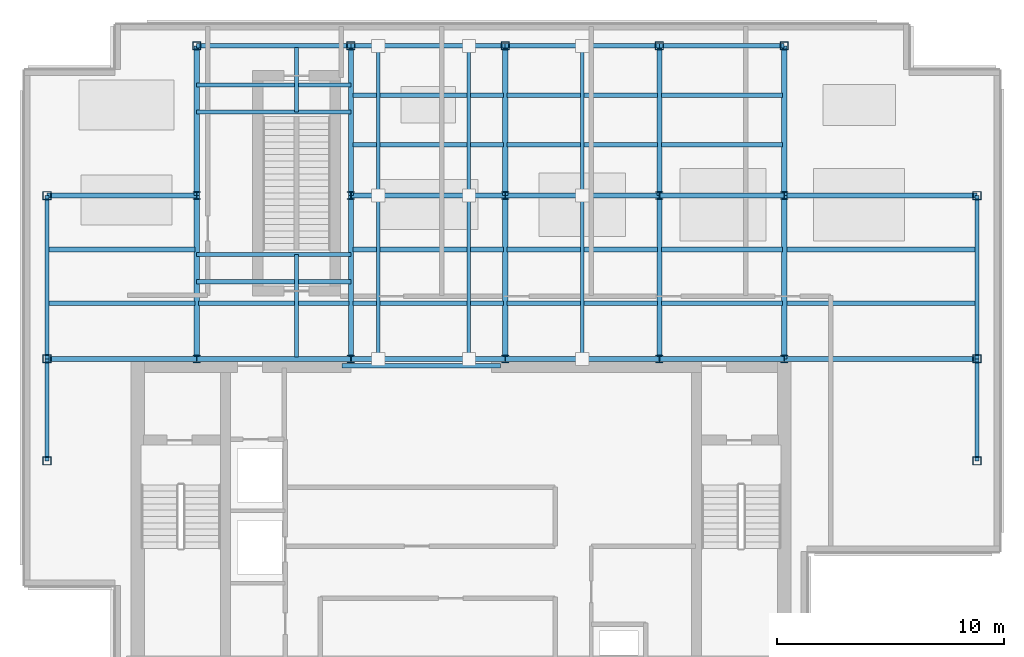
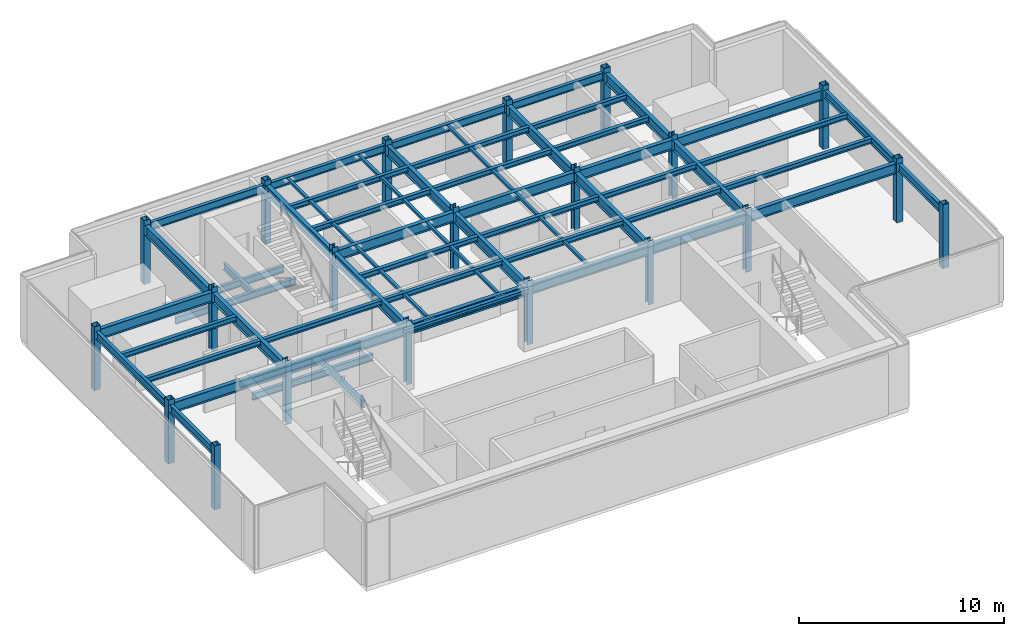
# One storey, part 1 of 7: 53 beams, 21 columns, 6 members.
"""IFC4 building model written with IfcOpenShell, lengths in metres."""

import ifcopenshell
import ifcopenshell.guid

model = None  # the IFC model being written
_history = None  # IfcOwnerHistory: only IFC2X3 demands one
_inside = {}  # id of a spatial element -> (the spatial element, [elements in it])
_under = {}  # id of a project, library or spatial element -> (it, [spatial elements below it])
_declared = {}  # id of a project -> (the project, [libraries it declares])
_typed = {}  # id of a type object -> (the type object, [elements of that type])
_made_of = {}  # id of a material, layer set ... -> (it, [elements and type objects made of it])


def new_model(schema):
    """Start an empty IFC model of exactly this schema.

    Asked for "IFC4X3", IfcOpenShell would pick the latest addendum, in which some entities
    have other attributes; the version numbers below select the first issue.
    IFC2X3 requires an IfcOwnerHistory on every rooted entity: one is made here for all.
    """
    global model, _history
    if schema == "IFC4X3":
        model = ifcopenshell.file(schema_version=(4, 3, 0, 0))
    else:
        model = ifcopenshell.file(schema=schema)
    _inside.clear()
    _under.clear()
    _declared.clear()
    _typed.clear()
    _made_of.clear()
    _history = None
    if model.schema == "IFC2X3":
        org = make("IfcOrganization", Name="unknown")
        user = make(
            "IfcPersonAndOrganization",
            ThePerson=make("IfcPerson", FamilyName="unknown"),
            TheOrganization=org,
        )
        app = make(
            "IfcApplication",
            ApplicationDeveloper=org,
            Version="unknown",
            ApplicationFullName="unknown",
            ApplicationIdentifier="unknown",
        )
        _history = make(
            "IfcOwnerHistory",
            OwningUser=user,
            OwningApplication=app,
            ChangeAction="ADDED",
            CreationDate=0,
        )
    return model


def make(cls, **values):
    """One entity of the class cls with the attributes given. An attribute that is None is left unset."""
    return model.create_entity(
        cls, **{name: value for name, value in values.items() if value is not None}
    )


def rooted(cls, **values):
    """An entity with a GlobalId (a new one), such as an element, a storey or a relation."""
    return make(cls, GlobalId=ifcopenshell.guid.new(), OwnerHistory=_history, **values)


def si_unit(unit_type, name, prefix=None):
    """IfcSIUnit, for example si_unit("LENGTHUNIT", "METRE", prefix="MILLI")."""
    return make("IfcSIUnit", UnitType=unit_type, Prefix=prefix, Name=name)


def derived_unit(unit_type, elements):
    """IfcDerivedUnit: a product of units, each with its exponent."""
    return make(
        "IfcDerivedUnit",
        Elements=[
            make("IfcDerivedUnitElement", Unit=unit, Exponent=power)
            for unit, power in elements
        ],
        UnitType=unit_type,
    )


def assignment(units):
    """IfcUnitAssignment: the units of a project."""
    return None if units is None else make("IfcUnitAssignment", Units=units)


def point(xyz):
    """IfcCartesianPoint."""
    return None if xyz is None else make("IfcCartesianPoint", Coordinates=xyz)


def direction(xyz):
    """IfcDirection."""
    return None if xyz is None else make("IfcDirection", DirectionRatios=xyz)


def frame(location, z_axis=None, x_axis=None):
    """IfcAxis2Placement3D, a coordinate frame: its origin and axes. An axis left out is left unset."""
    return make(
        "IfcAxis2Placement3D",
        Location=point(location),
        Axis=direction(z_axis),
        RefDirection=direction(x_axis),
    )


def frame_2d(location, x_axis=None):
    """IfcAxis2Placement2D, a coordinate frame in the plane: its origin and x axis."""
    return make(
        "IfcAxis2Placement2D", Location=point(location), RefDirection=direction(x_axis)
    )


def origin():
    """The frame at (0, 0, 0) with its axes left unset."""
    return frame((0.0, 0.0, 0.0))


def origin_2d():
    """The frame at (0, 0) in the plane with its x axis left unset."""
    return frame_2d((0.0, 0.0))


def place(relative_to, where):
    """IfcLocalPlacement: puts the frame where relative to a parent placement (None: the world)."""
    return make(
        "IfcLocalPlacement", PlacementRelTo=relative_to, RelativePlacement=where
    )


def context(
    kind, dimensions, precision=None, world=None, true_north=None, identifier=None
):
    """IfcGeometricRepresentationContext, for example the 3D "Model" context."""
    return make(
        "IfcGeometricRepresentationContext",
        ContextIdentifier=identifier,
        ContextType=kind,
        CoordinateSpaceDimension=dimensions,
        Precision=precision,
        WorldCoordinateSystem=world,
        TrueNorth=true_north,
    )


def subcontext(parent, identifier, kind, view, scale=None):
    """IfcGeometricRepresentationSubContext, for example "Body" below "Model"."""
    return make(
        "IfcGeometricRepresentationSubContext",
        ContextIdentifier=identifier,
        ContextType=kind,
        ParentContext=parent,
        TargetScale=scale,
        TargetView=view,
    )


def project(units=None, contexts=None):
    """IfcProject with its units and contexts."""
    return rooted(
        "IfcProject",
        Name="project",
        RepresentationContexts=contexts,
        UnitsInContext=assignment(units),
    )


def spatial(cls, under=None, at=None, **own):
    """A site, building, storey or space (cls), placed at a placement, below another one or the project."""
    s = rooted(cls, ObjectPlacement=at, **own)
    if under is not None:
        _under.setdefault(under.id(), (under, []))[1].append(s)
    return s


def profile(cls, at=None, kind="AREA", **sizes):
    """A parametric profile (cls). Its sizes go by their IFC names, for example OverallWidth=200.0."""
    return make(cls, ProfileType=kind, Position=at, **sizes)


def hollow_rectangle(**sizes):
    """IfcRectangleHollowProfileDef."""
    return profile("IfcRectangleHollowProfileDef", **sizes)


def i_section(**sizes):
    """IfcIShapeProfileDef."""
    return profile("IfcIShapeProfileDef", **sizes)


def extrude(swept, where, along, depth):
    """IfcExtrudedAreaSolid: the profile swept, set in the frame where, extruded along a direction by depth."""
    return make(
        "IfcExtrudedAreaSolid",
        SweptArea=swept,
        Position=where,
        ExtrudedDirection=direction(along),
        Depth=depth,
    )


def shape(context_of_items, identifier, shape_type, items):
    """IfcShapeRepresentation: the items that make up one representation, for example the "Body"."""
    return make(
        "IfcShapeRepresentation",
        ContextOfItems=context_of_items,
        RepresentationIdentifier=identifier,
        RepresentationType=shape_type,
        Items=items,
    )


def source(mapping_origin, context_of_items, identifier, shape_type, items):
    """IfcRepresentationMap: a shape defined once, which mapped items show again and again."""
    return make(
        "IfcRepresentationMap",
        MappingOrigin=mapping_origin,
        MappedRepresentation=shape(context_of_items, identifier, shape_type, items),
    )


def transform(
    local_origin,
    x_axis=None,
    y_axis=None,
    z_axis=None,
    scale=None,
    scale2=None,
    scale3=None,
    uniform=True,
):
    """IfcCartesianTransformationOperator3D, or its non-uniform kind. x_axis, y_axis, z_axis: its Axis1, 2, 3."""
    if uniform:
        return make(
            "IfcCartesianTransformationOperator3D",
            Axis1=direction(x_axis),
            Axis2=direction(y_axis),
            LocalOrigin=point(local_origin),
            Scale=scale,
            Axis3=direction(z_axis),
        )
    return make(
        "IfcCartesianTransformationOperator3DnonUniform",
        Axis1=direction(x_axis),
        Axis2=direction(y_axis),
        LocalOrigin=point(local_origin),
        Scale=scale,
        Axis3=direction(z_axis),
        Scale2=scale2,
        Scale3=scale3,
    )


def mapped(mapping_source, mapping_target):
    """IfcMappedItem: shows the shape of a source again, moved by a transform."""
    return make(
        "IfcMappedItem", MappingSource=mapping_source, MappingTarget=mapping_target
    )


def material(Name=None, Category=None):
    """IfcMaterial."""
    return make("IfcMaterial", Name=Name, Category=Category)


def material_profile(
    of_material, cross_section, Name=None, Category=None, Priority=None
):
    """IfcMaterialProfile: a cross section and its material."""
    return make(
        "IfcMaterialProfile",
        Name=Name,
        Material=of_material,
        Profile=cross_section,
        Priority=Priority,
        Category=Category,
    )


def profile_set(profiles, Name=None, composite=None):
    """IfcMaterialProfileSet."""
    return make(
        "IfcMaterialProfileSet",
        Name=Name,
        MaterialProfiles=profiles,
        CompositeProfile=composite,
    )


def made_of(thing, what):
    """Note that an element or type object is made of a material, layer set ...; save() writes the relation."""
    if what is not None:
        _made_of.setdefault(what.id(), (what, []))[1].append(thing)
    return thing


def type_object(cls, material=None, **own):
    """A type object (cls), such as IfcWallType, which elements share."""
    return made_of(rooted(cls, **own), material)


def element(
    cls,
    number,
    at=None,
    inside=None,
    cuts=None,
    type_object=None,
    material=None,
    context=None,
    identifier="Body",
    shape_type=None,
    held_by="IfcProductDefinitionShape",
    body=None,
    shapes=None,
    **own,
):
    """One element of the class cls, such as IfcWall. Its Tag is "e" and its number.

    at: its placement. inside: the storey or other place that contains it. cuts: it is an
    opening in that element (IfcRelVoidsElement). A single representation is given by context,
    identifier, shape_type and body (its items); several are given by shapes. held_by: the class
    of the entity that holds the representations. save() writes the other relations.
    """
    e = rooted(cls, Tag="e%d" % number, ObjectPlacement=at, **own)
    if body is not None:
        shapes = [shape(context, identifier, shape_type, body)]
    if shapes is not None:
        e.Representation = make(held_by, Representations=shapes)
    if inside is not None:
        _inside.setdefault(inside.id(), (inside, []))[1].append(e)
    if cuts is not None:
        rooted(
            "IfcRelVoidsElement", RelatingBuildingElement=cuts, RelatedOpeningElement=e
        )
    if type_object is not None:
        _typed.setdefault(type_object.id(), (type_object, []))[1].append(e)
    return made_of(e, material)


def aggregate(whole, parts):
    """IfcRelAggregates: a whole, such as a stair, and the parts it consists of."""
    return rooted("IfcRelAggregates", RelatingObject=whole, RelatedObjects=parts)


def save(model, path):
    """Write the relations noted so far, then the file.

    IfcRelAggregates (storeys below a building ...), IfcRelContainedInSpatialStructure (elements
    in a storey), IfcRelDefinesByType, IfcRelAssociatesMaterial and IfcRelDeclares: one each for
    every whole, place, type object, material and project.
    """
    for whole, parts in _under.values():
        aggregate(whole, parts)
    for where, things in _inside.values():
        rooted(
            "IfcRelContainedInSpatialStructure",
            RelatedElements=things,
            RelatingStructure=where,
        )
    for kind, things in _typed.values():
        rooted("IfcRelDefinesByType", RelatedObjects=things, RelatingType=kind)
    for what, things in _made_of.values():
        rooted("IfcRelAssociatesMaterial", RelatedObjects=things, RelatingMaterial=what)
    for by, libraries in _declared.values():
        rooted("IfcRelDeclares", RelatingContext=by, RelatedDefinitions=libraries)
    model.write(path)


model = new_model("IFC4")

# Units and contexts
model_context = context("Model", 3, precision=1e-05, world=origin(), true_north=direction((0.0, 1.0)))
body_context = subcontext(model_context, "Body", "Model", "MODEL_VIEW")
ifc_project = project(units=[si_unit("LENGTHUNIT", "METRE"), si_unit("AREAUNIT", "SQUARE_METRE"), si_unit("VOLUMEUNIT", "CUBIC_METRE"), si_unit("PLANEANGLEUNIT", "RADIAN"), si_unit("MASSUNIT", "GRAM", prefix="KILO"), derived_unit("THERMALTRANSMITTANCEUNIT", [(si_unit("POWERUNIT", "WATT"), 1), (si_unit("LENGTHUNIT", "METRE"), -2), (si_unit("THERMODYNAMICTEMPERATUREUNIT", "KELVIN"), -1)])], contexts=[model_context])

# Site, building, storey
site_placement = place(None, origin())
site = spatial("IfcSite", under=ifc_project, at=site_placement, CompositionType="ELEMENT")
building_placement = place(site_placement, origin())
building = spatial("IfcBuilding", under=site, at=building_placement, Name="Skarnbrae Concourse Arena and Tower", CompositionType="ELEMENT")
storey_placement = place(building_placement, frame((0.0, 0.0, 307.449951171875)))
storey = spatial("IfcBuildingStorey", under=building, at=storey_placement, Name="L80", CompositionType="ELEMENT", Elevation=307.449951171875)

# Columns
ifc_material = material(Name="Steel CSA G40.21 350W", Category="steel")
ifc_material_profile_1 = material_profile(ifc_material, hollow_rectangle(XDim=0.355712890625, YDim=0.355712890625, WallThickness=0.01904296875, at=origin_2d()), Name="HSS356X356X19.0")
ifc_profile_set_1 = profile_set([ifc_material_profile_1], Name="Steel CSA G40.21 350W")
column_type_1 = type_object("IfcColumnType", Name="COL-CROWN-HSS356", PredefinedType="COLUMN", material=ifc_profile_set_1)
shared_shape_1 = source(origin(), body_context, "Body", "SweptSolid", [
    extrude(hollow_rectangle(XDim=0.355712890625, YDim=0.355712890625, WallThickness=0.01904296875, at=origin_2d()), origin(), (0.0, 0.0, 1.0), 3.800048828125),
])
for number, where, z_axis, x_axis, name in (
    (1, (1.0, 9.5, 0.0), (0.0, 0.0, 1.0), (1.0, 0.0, 0.0), "L80 Tower column PC_01_01"),
    (2, (1.0, 14.0, 0.0), (0.0, 0.0, 1.0), (1.0, 0.0, 0.0), "L80 Tower column PC_01_02"),
    (3, (1.0, 21.199951171875, 0.0), (0.0, 0.0, 1.0), (1.0, 0.0, 0.0), "L80 Tower column PC_01_03"),
    (4, (7.60009765625, 27.800048828125, 0.0), (0.0, 0.0, 1.0), (1.0, 0.0, 0.0), "L80 Tower column PC_02_04"),
    (5, (14.39990234375, 27.800048828125, 0.0), (0.0, 0.0, 1.0), (1.0, 0.0, 0.0), "L80 Tower column PC_03_04"),
    (6, (21.199951171875, 27.800048828125, 0.0), (0.0, 0.0, 1.0), (1.0, 0.0, 0.0), "L80 Tower column PC_04_04"),
    (7, (28.0, 27.800048828125, 0.0), (0.0, 0.0, 1.0), (1.0, 0.0, 0.0), "L80 Tower column PC_05_04"),
    (8, (33.5, 27.800048828125, 0.0), (0.0, 0.0, 1.0), (1.0, 0.0, 0.0), "L80 Tower column PC_06_04"),
    (9, (42.0, 9.5, 0.0), (0.0, 0.0, 1.0), (1.0, 0.0, 0.0), "L80 Tower column PC_07_01"),
    (10, (42.0, 14.0, 0.0), (0.0, 0.0, 1.0), (1.0, 0.0, 0.0), "L80 Tower column PC_07_02"),
    (11, (42.0, 21.199951171875, 0.0), (0.0, 0.0, 1.0), (1.0, 0.0, 0.0), "L80 Tower column PC_07_03"),
):
    element("IfcColumn", number, at=place(storey_placement, frame(where, z_axis=z_axis, x_axis=x_axis)), inside=storey, type_object=column_type_1, Name=name, PredefinedType="COLUMN", context=body_context, shape_type="MappedRepresentation", body=[
        mapped(shared_shape_1, transform((0.0, 0.0, 0.0))),
    ])
ifc_material_profile_2 = material_profile(ifc_material, i_section(OverallWidth=0.30908203125, OverallDepth=0.322998046875, WebThickness=0.013916015625, FlangeThickness=0.02294921875, at=origin_2d()), Name="W310X143")
ifc_profile_set_2 = profile_set([ifc_material_profile_2], Name="Steel CSA G40.21 350W")
column_type_2 = type_object("IfcColumnType", Name="COL-INT-W310X143", PredefinedType="COLUMN", material=ifc_profile_set_2)
shared_shape_2 = source(origin(), body_context, "Body", "SweptSolid", [
    extrude(i_section(OverallWidth=0.30908203125, OverallDepth=0.322998046875, WebThickness=0.013916015625, FlangeThickness=0.02294921875, at=origin_2d()), origin(), (0.0, 0.0, 1.0), 3.800048828125),
])
for number, where, z_axis, x_axis, name in (
    (12, (7.60009765625, 14.0, 0.0), (0.0, 0.0, 1.0), (1.0, 0.0, 0.0), "L80 Tower column IC_02_02"),
    (13, (7.60009765625, 21.199951171875, 0.0), (0.0, 0.0, 1.0), (1.0, 0.0, 0.0), "L80 Tower column IC_02_03"),
    (14, (14.39990234375, 14.0, 0.0), (0.0, 0.0, 1.0), (1.0, 0.0, 0.0), "L80 Tower column IC_03_02"),
    (15, (14.39990234375, 21.199951171875, 0.0), (0.0, 0.0, 1.0), (1.0, 0.0, 0.0), "L80 Tower column IC_03_03"),
    (16, (21.199951171875, 14.0, 0.0), (0.0, 0.0, 1.0), (1.0, 0.0, 0.0), "L80 Tower column IC_04_02"),
    (17, (21.199951171875, 21.199951171875, 0.0), (0.0, 0.0, 1.0), (1.0, 0.0, 0.0), "L80 Tower column IC_04_03"),
    (18, (28.0, 14.0, 0.0), (0.0, 0.0, 1.0), (1.0, 0.0, 0.0), "L80 Tower column IC_05_02"),
    (19, (28.0, 21.199951171875, 0.0), (0.0, 0.0, 1.0), (1.0, 0.0, 0.0), "L80 Tower column IC_05_03"),
    (20, (33.5, 14.0, 0.0), (0.0, 0.0, 1.0), (1.0, 0.0, 0.0), "L80 Tower column IC_06_02"),
    (21, (33.5, 21.199951171875, 0.0), (0.0, 0.0, 1.0), (1.0, 0.0, 0.0), "L80 Tower column IC_06_03"),
):
    element("IfcColumn", number, at=place(storey_placement, frame(where, z_axis=z_axis, x_axis=x_axis)), inside=storey, type_object=column_type_2, Name=name, PredefinedType="COLUMN", context=body_context, shape_type="MappedRepresentation", body=[
        mapped(shared_shape_2, transform((0.0, 0.0, 0.0))),
    ])

# Beams
ifc_material_profile_3 = material_profile(ifc_material, i_section(OverallWidth=0.202880859375, OverallDepth=0.251953125, WebThickness=0.008056640625, FlangeThickness=0.013427734375, at=origin_2d()), Name="W250X58")
ifc_profile_set_3 = profile_set([ifc_material_profile_3], Name="Steel CSA G40.21 350W")
beam_type_1 = type_object("IfcBeamType", Name="BM-LINTEL-W250X58", PredefinedType="LINTEL", material=ifc_profile_set_3)
shared_shape_3 = source(origin(), body_context, "Body", "SweptSolid", [
    extrude(i_section(OverallWidth=0.202880859375, OverallDepth=0.251953125, WebThickness=0.008056640625, FlangeThickness=0.013427734375, at=origin_2d()), origin(), (0.0, 0.0, 1.0), 7.0),
])
beam_1_placement = place(storey_placement, frame((14.0, 13.699951171875, 3.3740234375), z_axis=(1.0, 0.0, 0.0), x_axis=(0.0, 1.0, 0.0)))
element("IfcBeam", 22, at=beam_1_placement, inside=storey, type_object=beam_type_1, Name="L80 Core portal coupling lintel", PredefinedType="LINTEL", context=body_context, shape_type="MappedRepresentation", body=[
    mapped(shared_shape_3, transform((0.0, 0.0, 0.0))),
])
ifc_material_profile_4 = material_profile(ifc_material, i_section(OverallWidth=0.22802734375, OverallDepth=0.60791015625, WebThickness=0.01123046875, FlangeThickness=0.017333984375, at=origin_2d()), Name="W610X113")
ifc_profile_set_4 = profile_set([ifc_material_profile_4], Name="Steel CSA G40.21 350W")
beam_type_2 = type_object("IfcBeamType", Name="BM-GIRD-W610X113", PredefinedType="BEAM", material=ifc_profile_set_4)
shared_shape_4 = source(origin(), body_context, "Body", "SweptSolid", [
    extrude(i_section(OverallWidth=0.22802734375, OverallDepth=0.60791015625, WebThickness=0.01123046875, FlangeThickness=0.017333984375, at=origin_2d()), origin(), (0.0, 0.0, 1.0), 6.60009765625),
])
for number, where, z_axis, x_axis, name in (
    (23, (1.0, 14.0, 3.196044921875), (1.0, 0.0, 0.0), (0.0, 1.0, 0.0), "L80 Primary E-W girder Y14.0-1"),
    (24, (1.0, 21.199951171875, 3.196044921875), (1.0, 0.0, 0.0), (0.0, 1.0, 0.0), "L80 Primary E-W girder Y21.2-1"),
    (25, (7.60009765625, 21.199951171875, 3.196044921875), (0.0, 1.0, 0.0), (-1.0, 0.0, 0.0), "L80 Primary N-S girder X7.6-2"),
    (26, (14.39990234375, 21.199951171875, 3.196044921875), (0.0, 1.0, 0.0), (-1.0, 0.0, 0.0), "L80 Primary N-S girder X14.4-2"),
    (27, (21.199951171875, 21.199951171875, 3.196044921875), (0.0, 1.0, 0.0), (-1.0, 0.0, 0.0), "L80 Primary N-S girder X21.2-2"),
    (28, (28.0, 21.199951171875, 3.196044921875), (0.0, 1.0, 0.0), (-1.0, 0.0, 0.0), "L80 Primary N-S girder X28.0-2"),
    (29, (33.5, 21.199951171875, 3.196044921875), (0.0, 1.0, 0.0), (-1.0, 0.0, 0.0), "L80 Primary N-S girder X33.5-2"),
):
    element("IfcBeam", number, at=place(storey_placement, frame(where, z_axis=z_axis, x_axis=x_axis)), inside=storey, type_object=beam_type_2, Name=name, PredefinedType="BEAM", context=body_context, shape_type="MappedRepresentation", body=[
        mapped(shared_shape_4, transform((0.0, 0.0, 0.0))),
    ])
shared_shape_5 = source(origin(), body_context, "Body", "SweptSolid", [
    extrude(i_section(OverallWidth=0.22802734375, OverallDepth=0.60791015625, WebThickness=0.01123046875, FlangeThickness=0.017333984375, at=origin_2d()), origin(), (0.0, 0.0, 1.0), 6.7998046875),
])
beam_2_placement = place(storey_placement, frame((7.60009765625, 14.0, 3.196044921875), z_axis=(1.0, 0.0, 0.0), x_axis=(0.0, 1.0, 0.0)))
element("IfcBeam", 30, at=beam_2_placement, inside=storey, type_object=beam_type_2, Name="L80 Primary E-W girder Y14.0-2", PredefinedType="BEAM", context=body_context, shape_type="MappedRepresentation", body=[
    mapped(shared_shape_5, transform((0.0, 0.0, 0.0))),
])
shared_shape_6 = source(origin(), body_context, "Body", "SweptSolid", [
    extrude(i_section(OverallWidth=0.22802734375, OverallDepth=0.60791015625, WebThickness=0.01123046875, FlangeThickness=0.017333984375, at=origin_2d()), origin(), (0.0, 0.0, 1.0), 6.800048828125),
])
for number, where, z_axis, x_axis, name in (
    (31, (14.39990234375, 14.0, 3.196044921875), (1.0, 0.0, 0.0), (0.0, 1.0, 0.0), "L80 Primary E-W girder Y14.0-3"),
    (32, (21.199951171875, 14.0, 3.196044921875), (1.0, 0.0, 0.0), (0.0, 1.0, 0.0), "L80 Primary E-W girder Y14.0-4"),
    (33, (14.39990234375, 21.199951171875, 3.196044921875), (1.0, 0.0, 0.0), (0.0, 1.0, 0.0), "L80 Primary E-W girder Y21.2-3"),
    (34, (21.199951171875, 21.199951171875, 3.196044921875), (1.0, 0.0, 0.0), (0.0, 1.0, 0.0), "L80 Primary E-W girder Y21.2-4"),
):
    element("IfcBeam", number, at=place(storey_placement, frame(where, z_axis=z_axis, x_axis=x_axis)), inside=storey, type_object=beam_type_2, Name=name, PredefinedType="BEAM", context=body_context, shape_type="MappedRepresentation", body=[
        mapped(shared_shape_6, transform((0.0, 0.0, 0.0))),
    ])
shared_shape_7 = source(origin(), body_context, "Body", "SweptSolid", [
    extrude(i_section(OverallWidth=0.22802734375, OverallDepth=0.60791015625, WebThickness=0.01123046875, FlangeThickness=0.017333984375, at=origin_2d()), origin(), (0.0, 0.0, 1.0), 5.5),
])
for number, where, z_axis, x_axis, name in (
    (35, (28.0, 14.0, 3.196044921875), (1.0, 0.0, 0.0), (0.0, 1.0, 0.0), "L80 Primary E-W girder Y14.0-5"),
    (36, (28.0, 21.199951171875, 3.196044921875), (1.0, 0.0, 0.0), (0.0, 1.0, 0.0), "L80 Primary E-W girder Y21.2-5"),
):
    element("IfcBeam", number, at=place(storey_placement, frame(where, z_axis=z_axis, x_axis=x_axis)), inside=storey, type_object=beam_type_2, Name=name, PredefinedType="BEAM", context=body_context, shape_type="MappedRepresentation", body=[
        mapped(shared_shape_7, transform((0.0, 0.0, 0.0))),
    ])
shared_shape_8 = source(origin(), body_context, "Body", "SweptSolid", [
    extrude(i_section(OverallWidth=0.22802734375, OverallDepth=0.60791015625, WebThickness=0.01123046875, FlangeThickness=0.017333984375, at=origin_2d()), origin(), (0.0, 0.0, 1.0), 8.5),
])
for number, where, z_axis, x_axis, name in (
    (37, (33.5, 14.0, 3.196044921875), (1.0, 0.0, 0.0), (0.0, 1.0, 0.0), "L80 Primary E-W girder Y14.0-6"),
    (38, (33.5, 21.199951171875, 3.196044921875), (1.0, 0.0, 0.0), (0.0, 1.0, 0.0), "L80 Primary E-W girder Y21.2-6"),
):
    element("IfcBeam", number, at=place(storey_placement, frame(where, z_axis=z_axis, x_axis=x_axis)), inside=storey, type_object=beam_type_2, Name=name, PredefinedType="BEAM", context=body_context, shape_type="MappedRepresentation", body=[
        mapped(shared_shape_8, transform((0.0, 0.0, 0.0))),
    ])
ifc_material_profile_5 = material_profile(ifc_material, i_section(OverallWidth=0.19091796875, OverallDepth=0.4599609375, WebThickness=0.010009765625, FlangeThickness=0.01611328125, at=origin_2d()), Name="W460X82")
ifc_profile_set_5 = profile_set([ifc_material_profile_5], Name="Steel CSA G40.21 350W")
beam_type_3 = type_object("IfcBeamType", Name="BM-SPAN-W460X82", PredefinedType="SPANDREL", material=ifc_profile_set_5)
shared_shape_9 = source(origin(), body_context, "Body", "SweptSolid", [
    extrude(i_section(OverallWidth=0.19091796875, OverallDepth=0.4599609375, WebThickness=0.010009765625, FlangeThickness=0.01611328125, at=origin_2d()), origin(), (0.0, 0.0, 1.0), 6.7998046875),
])
beam_3_placement = place(storey_placement, frame((7.60009765625, 27.800048828125, 3.27001953125), z_axis=(1.0, 0.0, 0.0), x_axis=(0.0, 1.0, 0.0)))
element("IfcBeam", 39, at=beam_3_placement, inside=storey, type_object=beam_type_3, Name="L80 Perimeter spandrel Y27.8-1", PredefinedType="SPANDREL", context=body_context, shape_type="MappedRepresentation", body=[
    mapped(shared_shape_9, transform((0.0, 0.0, 0.0))),
])
shared_shape_10 = source(origin(), body_context, "Body", "SweptSolid", [
    extrude(i_section(OverallWidth=0.19091796875, OverallDepth=0.4599609375, WebThickness=0.010009765625, FlangeThickness=0.01611328125, at=origin_2d()), origin(), (0.0, 0.0, 1.0), 6.800048828125),
])
for number, where, z_axis, x_axis, name in (
    (40, (14.39990234375, 27.800048828125, 3.27001953125), (1.0, 0.0, 0.0), (0.0, 1.0, 0.0), "L80 Perimeter spandrel Y27.8-2"),
    (41, (21.199951171875, 27.800048828125, 3.27001953125), (1.0, 0.0, 0.0), (0.0, 1.0, 0.0), "L80 Perimeter spandrel Y27.8-3"),
):
    element("IfcBeam", number, at=place(storey_placement, frame(where, z_axis=z_axis, x_axis=x_axis)), inside=storey, type_object=beam_type_3, Name=name, PredefinedType="SPANDREL", context=body_context, shape_type="MappedRepresentation", body=[
        mapped(shared_shape_10, transform((0.0, 0.0, 0.0))),
    ])
shared_shape_11 = source(origin(), body_context, "Body", "SweptSolid", [
    extrude(i_section(OverallWidth=0.19091796875, OverallDepth=0.4599609375, WebThickness=0.010009765625, FlangeThickness=0.01611328125, at=origin_2d()), origin(), (0.0, 0.0, 1.0), 5.5),
])
beam_4_placement = place(storey_placement, frame((28.0, 27.800048828125, 3.27001953125), z_axis=(1.0, 0.0, 0.0), x_axis=(0.0, 1.0, 0.0)))
element("IfcBeam", 42, at=beam_4_placement, inside=storey, type_object=beam_type_3, Name="L80 Perimeter spandrel Y27.8-4", PredefinedType="SPANDREL", context=body_context, shape_type="MappedRepresentation", body=[
    mapped(shared_shape_11, transform((0.0, 0.0, 0.0))),
])
shared_shape_12 = source(origin(), body_context, "Body", "SweptSolid", [
    extrude(i_section(OverallWidth=0.19091796875, OverallDepth=0.4599609375, WebThickness=0.010009765625, FlangeThickness=0.01611328125, at=origin_2d()), origin(), (0.0, 0.0, 1.0), 4.5),
])
for number, where, z_axis, x_axis, name in (
    (43, (1.0, 9.5, 3.27001953125), (0.0, 1.0, 0.0), (-1.0, 0.0, 0.0), "L80 Perimeter spandrel X1.0-1"),
    (44, (42.0, 9.5, 3.27001953125), (0.0, 1.0, 0.0), (-1.0, 0.0, 0.0), "L80 Perimeter spandrel X42.0-1"),
):
    element("IfcBeam", number, at=place(storey_placement, frame(where, z_axis=z_axis, x_axis=x_axis)), inside=storey, type_object=beam_type_3, Name=name, PredefinedType="SPANDREL", context=body_context, shape_type="MappedRepresentation", body=[
        mapped(shared_shape_12, transform((0.0, 0.0, 0.0))),
    ])
shared_shape_13 = source(origin(), body_context, "Body", "SweptSolid", [
    extrude(i_section(OverallWidth=0.19091796875, OverallDepth=0.4599609375, WebThickness=0.010009765625, FlangeThickness=0.01611328125, at=origin_2d()), origin(), (0.0, 0.0, 1.0), 7.199951171875),
])
for number, where, z_axis, x_axis, name in (
    (45, (1.0, 14.0, 3.27001953125), (0.0, 1.0, 0.0), (-1.0, 0.0, 0.0), "L80 Perimeter spandrel X1.0-2"),
    (46, (42.0, 14.0, 3.27001953125), (0.0, 1.0, 0.0), (-1.0, 0.0, 0.0), "L80 Perimeter spandrel X42.0-2"),
):
    element("IfcBeam", number, at=place(storey_placement, frame(where, z_axis=z_axis, x_axis=x_axis)), inside=storey, type_object=beam_type_3, Name=name, PredefinedType="SPANDREL", context=body_context, shape_type="MappedRepresentation", body=[
        mapped(shared_shape_13, transform((0.0, 0.0, 0.0))),
    ])
shared_shape_14 = source(origin(), body_context, "Body", "SweptSolid", [
    extrude(i_section(OverallWidth=0.22802734375, OverallDepth=0.60791015625, WebThickness=0.01123046875, FlangeThickness=0.017333984375, at=origin_2d()), origin(), (0.0, 0.0, 1.0), 7.199951171875),
])
for number, where, z_axis, x_axis, name in (
    (47, (7.60009765625, 14.0, 3.196044921875), (0.0, 1.0, 0.0), (-1.0, 0.0, 0.0), "L80 Primary N-S girder X7.6-1"),
    (48, (14.39990234375, 14.0, 3.196044921875), (0.0, 1.0, 0.0), (-1.0, 0.0, 0.0), "L80 Primary N-S girder X14.4-1"),
    (49, (21.199951171875, 14.0, 3.196044921875), (0.0, 1.0, 0.0), (-1.0, 0.0, 0.0), "L80 Primary N-S girder X21.2-1"),
    (50, (28.0, 14.0, 3.196044921875), (0.0, 1.0, 0.0), (-1.0, 0.0, 0.0), "L80 Primary N-S girder X28.0-1"),
    (51, (33.5, 14.0, 3.196044921875), (0.0, 1.0, 0.0), (-1.0, 0.0, 0.0), "L80 Primary N-S girder X33.5-1"),
):
    element("IfcBeam", number, at=place(storey_placement, frame(where, z_axis=z_axis, x_axis=x_axis)), inside=storey, type_object=beam_type_2, Name=name, PredefinedType="BEAM", context=body_context, shape_type="MappedRepresentation", body=[
        mapped(shared_shape_14, transform((0.0, 0.0, 0.0))),
    ])
ifc_material_profile_6 = material_profile(ifc_material, i_section(OverallWidth=0.202880859375, OverallDepth=0.302978515625, WebThickness=0.007568359375, FlangeThickness=0.01318359375, at=origin_2d()), Name="W310X60")
ifc_profile_set_6 = profile_set([ifc_material_profile_6], Name="Steel CSA G40.21 350W")
beam_type_4 = type_object("IfcBeamType", Name="BM-JOIST-W310X60", PredefinedType="JOIST", material=ifc_profile_set_6)
shared_shape_15 = source(origin(), body_context, "Body", "SweptSolid", [
    extrude(i_section(OverallWidth=0.202880859375, OverallDepth=0.302978515625, WebThickness=0.007568359375, FlangeThickness=0.01318359375, at=origin_2d()), origin(), (0.0, 0.0, 1.0), 6.43994140625),
])
for number, where, z_axis, x_axis, name in (
    (52, (1.080078125, 16.447998046875, 3.3486328125), (1.0, 0.0, 0.0), (0.0, 1.0, 0.0), "L80 Secondary floor joist 1.1.1"),
    (53, (1.080078125, 18.823974609375, 3.3486328125), (1.0, 0.0, 0.0), (0.0, 1.0, 0.0), "L80 Secondary floor joist 1.2.1"),
):
    element("IfcBeam", number, at=place(storey_placement, frame(where, z_axis=z_axis, x_axis=x_axis)), inside=storey, type_object=beam_type_4, Name=name, PredefinedType="JOIST", context=body_context, shape_type="MappedRepresentation", body=[
        mapped(shared_shape_15, transform((0.0, 0.0, 0.0))),
    ])
shared_shape_16 = source(origin(), body_context, "Body", "SweptSolid", [
    extrude(i_section(OverallWidth=0.202880859375, OverallDepth=0.302978515625, WebThickness=0.007568359375, FlangeThickness=0.01318359375, at=origin_2d()), origin(), (0.0, 0.0, 1.0), 6.64013671875),
])
for number, where, z_axis, x_axis, name in (
    (54, (7.679931640625, 16.447998046875, 3.3486328125), (1.0, 0.0, 0.0), (0.0, 1.0, 0.0), "L80 Secondary floor joist 1.1.2"),
    (55, (14.47998046875, 16.447998046875, 3.3486328125), (1.0, 0.0, 0.0), (0.0, 1.0, 0.0), "L80 Secondary floor joist 1.1.3"),
    (56, (14.47998046875, 18.823974609375, 3.3486328125), (1.0, 0.0, 0.0), (0.0, 1.0, 0.0), "L80 Secondary floor joist 1.2.3"),
    (57, (14.47998046875, 23.444091796875, 3.3486328125), (1.0, 0.0, 0.0), (0.0, 1.0, 0.0), "L80 Secondary floor joist 2.1.2"),
    (58, (14.47998046875, 25.6220703125, 3.3486328125), (1.0, 0.0, 0.0), (0.0, 1.0, 0.0), "L80 Secondary floor joist 2.2.2"),
):
    element("IfcBeam", number, at=place(storey_placement, frame(where, z_axis=z_axis, x_axis=x_axis)), inside=storey, type_object=beam_type_4, Name=name, PredefinedType="JOIST", context=body_context, shape_type="MappedRepresentation", body=[
        mapped(shared_shape_16, transform((0.0, 0.0, 0.0))),
    ])
shared_shape_17 = source(origin(), body_context, "Body", "SweptSolid", [
    extrude(i_section(OverallWidth=0.202880859375, OverallDepth=0.302978515625, WebThickness=0.007568359375, FlangeThickness=0.01318359375, at=origin_2d()), origin(), (0.0, 0.0, 1.0), 6.639892578125),
])
for number, where, z_axis, x_axis, name in (
    (59, (21.280029296875, 16.447998046875, 3.3486328125), (1.0, 0.0, 0.0), (0.0, 1.0, 0.0), "L80 Secondary floor joist 1.1.4"),
    (60, (21.280029296875, 18.823974609375, 3.3486328125), (1.0, 0.0, 0.0), (0.0, 1.0, 0.0), "L80 Secondary floor joist 1.2.4"),
    (61, (21.280029296875, 23.444091796875, 3.3486328125), (1.0, 0.0, 0.0), (0.0, 1.0, 0.0), "L80 Secondary floor joist 2.1.3"),
    (62, (21.280029296875, 25.6220703125, 3.3486328125), (1.0, 0.0, 0.0), (0.0, 1.0, 0.0), "L80 Secondary floor joist 2.2.3"),
):
    element("IfcBeam", number, at=place(storey_placement, frame(where, z_axis=z_axis, x_axis=x_axis)), inside=storey, type_object=beam_type_4, Name=name, PredefinedType="JOIST", context=body_context, shape_type="MappedRepresentation", body=[
        mapped(shared_shape_17, transform((0.0, 0.0, 0.0))),
    ])
shared_shape_18 = source(origin(), body_context, "Body", "SweptSolid", [
    extrude(i_section(OverallWidth=0.202880859375, OverallDepth=0.302978515625, WebThickness=0.007568359375, FlangeThickness=0.01318359375, at=origin_2d()), origin(), (0.0, 0.0, 1.0), 5.33984375),
])
for number, where, z_axis, x_axis, name in (
    (63, (28.080078125, 16.447998046875, 3.3486328125), (1.0, 0.0, 0.0), (0.0, 1.0, 0.0), "L80 Secondary floor joist 1.1.5"),
    (64, (28.080078125, 18.823974609375, 3.3486328125), (1.0, 0.0, 0.0), (0.0, 1.0, 0.0), "L80 Secondary floor joist 1.2.5"),
    (65, (28.080078125, 23.444091796875, 3.3486328125), (1.0, 0.0, 0.0), (0.0, 1.0, 0.0), "L80 Secondary floor joist 2.1.4"),
    (66, (28.080078125, 25.6220703125, 3.3486328125), (1.0, 0.0, 0.0), (0.0, 1.0, 0.0), "L80 Secondary floor joist 2.2.4"),
):
    element("IfcBeam", number, at=place(storey_placement, frame(where, z_axis=z_axis, x_axis=x_axis)), inside=storey, type_object=beam_type_4, Name=name, PredefinedType="JOIST", context=body_context, shape_type="MappedRepresentation", body=[
        mapped(shared_shape_18, transform((0.0, 0.0, 0.0))),
    ])
shared_shape_19 = source(origin(), body_context, "Body", "SweptSolid", [
    extrude(i_section(OverallWidth=0.202880859375, OverallDepth=0.302978515625, WebThickness=0.007568359375, FlangeThickness=0.01318359375, at=origin_2d()), origin(), (0.0, 0.0, 1.0), 8.33984375),
])
for number, where, z_axis, x_axis, name in (
    (67, (33.580078125, 16.447998046875, 3.3486328125), (1.0, 0.0, 0.0), (0.0, 1.0, 0.0), "L80 Secondary floor joist 1.1.6"),
    (68, (33.580078125, 18.823974609375, 3.3486328125), (1.0, 0.0, 0.0), (0.0, 1.0, 0.0), "L80 Secondary floor joist 1.2.6"),
):
    element("IfcBeam", number, at=place(storey_placement, frame(where, z_axis=z_axis, x_axis=x_axis)), inside=storey, type_object=beam_type_4, Name=name, PredefinedType="JOIST", context=body_context, shape_type="MappedRepresentation", body=[
        mapped(shared_shape_19, transform((0.0, 0.0, 0.0))),
    ])

# Members
ifc_material_profile_7 = material_profile(ifc_material, hollow_rectangle(XDim=0.15234375, YDim=0.15234375, WallThickness=0.009521484375, at=origin_2d()), Name="HSS152X152X9.5")
ifc_profile_set_7 = profile_set([ifc_material_profile_7], Name="Steel CSA G40.21 350W")
member_type = type_object("IfcMemberType", Name="MEM-TIE-HSS152", PredefinedType="STRUT", material=ifc_profile_set_7)
shared_shape_20 = source(origin(), body_context, "Body", "SweptSolid", [
    extrude(hollow_rectangle(XDim=0.15234375, YDim=0.15234375, WallThickness=0.009521484375, at=origin_2d()), origin(), (0.0, 0.0, 1.0), 7.199951171875),
])
for number, where, z_axis, x_axis, name in (
    (69, (15.60009765625, 14.0, 3.380126953125), (0.0, 1.0, 0.0), (-1.0, 0.0, 0.0), "L80 Crown mechanical tie strut 1.1"),
    (70, (19.60009765625, 14.0, 3.380126953125), (0.0, 1.0, 0.0), (-1.0, 0.0, 0.0), "L80 Crown mechanical tie strut 2.1"),
    (71, (24.60009765625, 14.0, 3.380126953125), (0.0, 1.0, 0.0), (-1.0, 0.0, 0.0), "L80 Crown mechanical tie strut 3.1"),
):
    element("IfcMember", number, at=place(storey_placement, frame(where, z_axis=z_axis, x_axis=x_axis)), inside=storey, type_object=member_type, Name=name, PredefinedType="STRUT", context=body_context, shape_type="MappedRepresentation", body=[
        mapped(shared_shape_20, transform((0.0, 0.0, 0.0))),
    ])
shared_shape_21 = source(origin(), body_context, "Body", "SweptSolid", [
    extrude(hollow_rectangle(XDim=0.15234375, YDim=0.15234375, WallThickness=0.009521484375, at=origin_2d()), origin(), (0.0, 0.0, 1.0), 6.60009765625),
])
for number, where, z_axis, x_axis, name in (
    (72, (15.60009765625, 21.199951171875, 3.380126953125), (0.0, 1.0, 0.0), (-1.0, 0.0, 0.0), "L80 Crown mechanical tie strut 1.2"),
    (73, (19.60009765625, 21.199951171875, 3.380126953125), (0.0, 1.0, 0.0), (-1.0, 0.0, 0.0), "L80 Crown mechanical tie strut 2.2"),
    (74, (24.60009765625, 21.199951171875, 3.380126953125), (0.0, 1.0, 0.0), (-1.0, 0.0, 0.0), "L80 Crown mechanical tie strut 3.2"),
):
    element("IfcMember", number, at=place(storey_placement, frame(where, z_axis=z_axis, x_axis=x_axis)), inside=storey, type_object=member_type, Name=name, PredefinedType="STRUT", context=body_context, shape_type="MappedRepresentation", body=[
        mapped(shared_shape_21, transform((0.0, 0.0, 0.0))),
    ])

# Beams
ifc_material_profile_8 = material_profile(ifc_material, i_section(OverallWidth=0.177978515625, OverallDepth=0.406982421875, WebThickness=0.0078125, FlangeThickness=0.0126953125, at=origin_2d()), Name="W410X60")
ifc_profile_set_8 = profile_set([ifc_material_profile_8], Name="Steel CSA G40.21 350W")
beam_type_5 = type_object("IfcBeamType", Name="BM-JOIST-W410X60", PredefinedType="JOIST", material=ifc_profile_set_8)
shared_shape_22 = source(origin(), body_context, "Body", "SweptSolid", [
    extrude(i_section(OverallWidth=0.177978515625, OverallDepth=0.406982421875, WebThickness=0.0078125, FlangeThickness=0.0126953125, at=origin_2d()), origin(), (0.0, 0.0, 1.0), 6.7998046875),
])
for number, where, z_axis, x_axis, name in (
    (75, (7.60009765625, 17.39990234375, -0.50146484375), (1.0, 0.0, 0.0), (0.0, 1.0, 0.0), "L80 Crown stair ST-CRWN E-W framing beam 1"),
    (76, (7.60009765625, 18.60009765625, -0.50146484375), (1.0, 0.0, 0.0), (0.0, 1.0, 0.0), "L80 Crown stair ST-CRWN E-W framing beam 2"),
    (77, (7.60009765625, 24.8798828125, -0.50146484375), (1.0, 0.0, 0.0), (0.0, 1.0, 0.0), "L80 Crown stair ST-CRWN E-W framing beam 3"),
    (78, (7.60009765625, 26.080078125, -0.50146484375), (1.0, 0.0, 0.0), (0.0, 1.0, 0.0), "L80 Crown stair ST-CRWN E-W framing beam 4"),
):
    element("IfcBeam", number, at=place(storey_placement, frame(where, z_axis=z_axis, x_axis=x_axis)), inside=storey, type_object=beam_type_5, Name=name, PredefinedType="JOIST", context=body_context, shape_type="MappedRepresentation", body=[
        mapped(shared_shape_22, transform((0.0, 0.0, 0.0))),
    ])
shared_shape_23 = source(origin(), body_context, "Body", "SweptSolid", [
    extrude(i_section(OverallWidth=0.177978515625, OverallDepth=0.406982421875, WebThickness=0.0078125, FlangeThickness=0.0126953125, at=origin_2d()), origin(), (0.0, 0.0, 1.0), 4.52001953125),
])
beam_5_placement = place(storey_placement, frame((12.0, 14.080078125, -0.50146484375), z_axis=(0.0, 1.0, 0.0), x_axis=(-1.0, 0.0, 0.0)))
element("IfcBeam", 79, at=beam_5_placement, inside=storey, type_object=beam_type_5, Name="L80 Crown stair ST-CRWN N-S framing beam 1", PredefinedType="JOIST", context=body_context, shape_type="MappedRepresentation", body=[
    mapped(shared_shape_23, transform((0.0, 0.0, 0.0))),
])
shared_shape_24 = source(origin(), body_context, "Body", "SweptSolid", [
    extrude(i_section(OverallWidth=0.177978515625, OverallDepth=0.406982421875, WebThickness=0.0078125, FlangeThickness=0.0126953125, at=origin_2d()), origin(), (0.0, 0.0, 1.0), 2.840087890625),
])
beam_6_placement = place(storey_placement, frame((12.0, 24.8798828125, -0.50146484375), z_axis=(0.0, 1.0, 0.0), x_axis=(-1.0, 0.0, 0.0)))
element("IfcBeam", 80, at=beam_6_placement, inside=storey, type_object=beam_type_5, Name="L80 Crown stair ST-CRWN N-S framing beam 2", PredefinedType="JOIST", context=body_context, shape_type="MappedRepresentation", body=[
    mapped(shared_shape_24, transform((0.0, 0.0, 0.0))),
])

save(model, "model.ifc")
